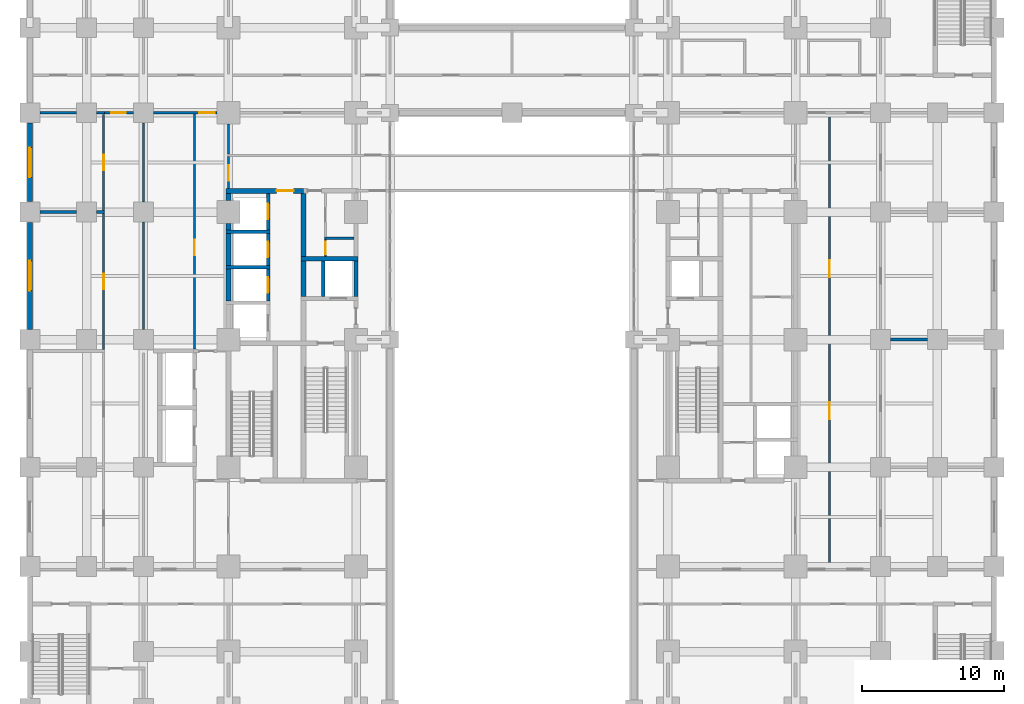
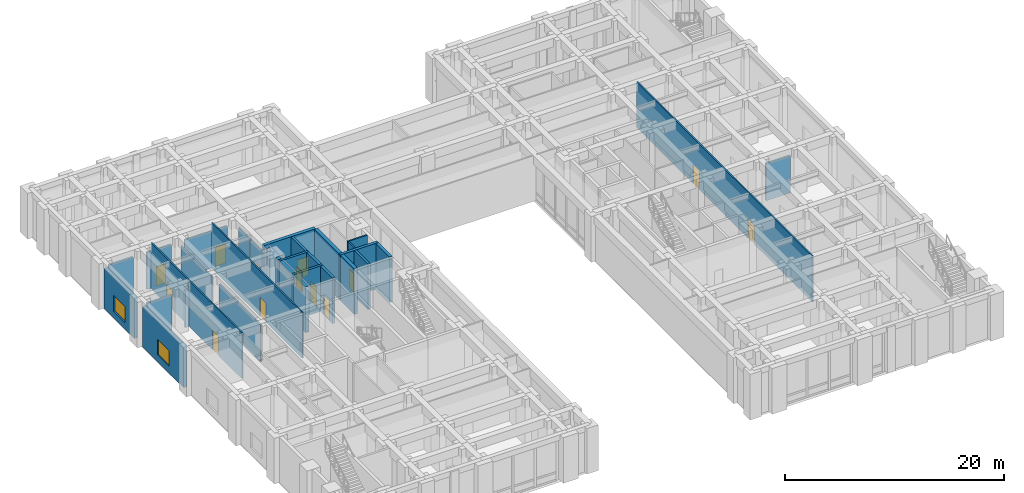
# One storey, part 11 of 21: 34 walls, 13 doors, 2 windows, 15 openings.
"""IFC4 building model written with IfcOpenShell, lengths in metres."""

from ifc_helpers import new_model, si_unit, direction, frame, frame_2d, origin, place, context, subcontext, project, spatial, rectangle, extrude, material, layer, layer_set, type_object, element, fill, save


model = new_model("IFC4")

# Units and contexts
model_context = context("Model", 3, precision=1e-05, world=origin(), true_north=direction((0.0, 1.0)))
body_context = subcontext(model_context, "Body", "Model", "MODEL_VIEW")
ifc_project = project(units=[si_unit("LENGTHUNIT", "METRE"), si_unit("AREAUNIT", "SQUARE_METRE"), si_unit("VOLUMEUNIT", "CUBIC_METRE"), si_unit("PLANEANGLEUNIT", "RADIAN"), si_unit("MASSUNIT", "GRAM", prefix="KILO")], contexts=[model_context])

# Site, building, storey
site_placement = place(None, origin())
site = spatial("IfcSite", under=ifc_project, at=site_placement, CompositionType="ELEMENT")
building_placement = place(site_placement, origin())
building = spatial("IfcBuilding", under=site, at=building_placement, Name="Zulmaris Gate Convention Tower", CompositionType="ELEMENT")
storey_placement = place(building_placement, frame((0.0, 0.0, 5.43994140625)))
storey = spatial("IfcBuildingStorey", under=building, at=storey_placement, Name="L01", CompositionType="ELEMENT", Elevation=5.43994140625)

# Walls
ifc_material_1 = material(Name="Concrete C50/60", Category="concrete")
ifc_layer_1 = layer(ifc_material_1, 0.25, Name="Concrete C50/60")
ifc_layer_set_1 = layer_set([ifc_layer_1], Name="Concrete C50/60")
wall_type_1 = type_object("IfcWallType", Name="CORE-250", PredefinedType="SOLIDWALL", material=ifc_layer_set_1)
for number, where, z_axis, x_axis, name in (
    (1, (-20.175048828125, 5.10009765625, 0.0), (0.0, 0.0, 1.0), (1.0, 0.0, 0.0), "WL-L01-019"),
    (2, (-20.175048828125, 7.60009765625, 0.0), (0.0, 0.0, 1.0), (1.0, 0.0, 0.0), "WL-L01-022"),
):
    element("IfcWall", number, at=place(storey_placement, frame(where, z_axis=z_axis, x_axis=x_axis)), inside=storey, type_object=wall_type_1, Name=name, PredefinedType="SOLIDWALL", context=body_context, shape_type="SweptSolid", body=[
        extrude(rectangle(XDim=3.10009765625, YDim=0.25, at=frame_2d((1.550048828125, 0.0))), origin(), (0.0, 0.0, 1.0), 5.08984375),
    ])

# Wall, opening, door
wall_1_placement = place(storey_placement, frame((-17.199951171875, 2.72705078125, 0.0), z_axis=(0.0, 0.0, 1.0), x_axis=(0.0, 1.0, 0.0)))
wall_1 = element("IfcWall", 3, at=wall_1_placement, inside=storey, type_object=wall_type_1, Name="WL-L01-079", PredefinedType="SOLIDWALL", context=body_context, shape_type="SweptSolid", body=[
    extrude(rectangle(XDim=2.245849609375, YDim=0.25, at=frame_2d((1.123046875, 0.0))), origin(), (0.0, 0.0, 1.0), 5.08984375),
])
opening_1_placement = place(wall_1_placement, frame((0.572998046875, 0.0, 0.0)))
opening_1 = element("IfcOpeningElement", 4, at=opening_1_placement, cuts=wall_1, Name="Opening D-06", PredefinedType="OPENING", context=body_context, shape_type="SweptSolid", body=[
    extrude(rectangle(XDim=1.10009765625, YDim=2.199951171875, at=frame_2d((0.550048828125, 1.10009765625))), frame((0.0, 0.135009765625, 0.0), z_axis=(0.0, -1.0, 0.0), x_axis=(1.0, 0.0, 0.0)), (0.0, 0.0, 1.0), 0.27001953125),
])
ifc_material_2 = material(Name="Brushed Stainless Steel", Category="steel")
door_type_1 = type_object("IfcDoorType", Name="LD-1100", OperationType="NOTDEFINED", PredefinedType="DOOR", material=ifc_material_2)
door_1_placement = place(opening_1_placement, origin())
door_1 = element("IfcDoor", 5, at=door_1_placement, inside=storey, type_object=door_type_1, Name="L01 Lift Landing Door LP-02 16", OperationType="SLIDING_TO_LEFT", OverallHeight=2.199951171875, OverallWidth=1.10009765625, PredefinedType="DOOR", context=body_context, shape_type="SweptSolid", body=[
    extrude(rectangle(XDim=1.10009765625, YDim=2.199951171875, at=frame_2d((0.550048828125, 1.10009765625))), frame((0.0, 0.02490234375, 0.0), z_axis=(0.0, -1.0, 0.0), x_axis=(1.0, 0.0, 0.0)), (0.0, 0.0, 1.0), 0.050048828125),
])
fill(opening_1, door_1)

wall_2_placement = place(storey_placement, frame((-17.199951171875, 5.22705078125, 0.0), z_axis=(0.0, 0.0, 1.0), x_axis=(0.0, 1.0, 0.0)))
wall_2 = element("IfcWall", 6, at=wall_2_placement, inside=storey, type_object=wall_type_1, Name="WL-L01-080", PredefinedType="SOLIDWALL", context=body_context, shape_type="SweptSolid", body=[
    extrude(rectangle(XDim=2.245849609375, YDim=0.25, at=frame_2d((1.123046875, 0.0))), origin(), (0.0, 0.0, 1.0), 5.08984375),
])
opening_2_placement = place(wall_2_placement, frame((0.572998046875, 0.0, 0.0)))
opening_2 = element("IfcOpeningElement", 7, at=opening_2_placement, cuts=wall_2, Name="Opening D-06", PredefinedType="OPENING", context=body_context, shape_type="SweptSolid", body=[
    extrude(rectangle(XDim=1.10009765625, YDim=2.199951171875, at=frame_2d((0.550048828125, 1.10009765625))), frame((0.0, 0.135009765625, 0.0), z_axis=(0.0, -1.0, 0.0), x_axis=(1.0, 0.0, 0.0)), (0.0, 0.0, 1.0), 0.27001953125),
])
door_2_placement = place(opening_2_placement, origin())
door_2 = element("IfcDoor", 8, at=door_2_placement, inside=storey, type_object=door_type_1, Name="L01 Lift Landing Door LP-03 17", OperationType="SLIDING_TO_LEFT", OverallHeight=2.199951171875, OverallWidth=1.10009765625, PredefinedType="DOOR", context=body_context, shape_type="SweptSolid", body=[
    extrude(rectangle(XDim=1.10009765625, YDim=2.199951171875, at=frame_2d((0.550048828125, 1.10009765625))), frame((0.0, 0.02490234375, 0.0), z_axis=(0.0, -1.0, 0.0), x_axis=(1.0, 0.0, 0.0)), (0.0, 0.0, 1.0), 0.050048828125),
])
fill(opening_2, door_2)

wall_3_placement = place(storey_placement, frame((-17.199951171875, 7.72705078125, 0.0), z_axis=(0.0, 0.0, 1.0), x_axis=(0.0, 1.0, 0.0)))
wall_3 = element("IfcWall", 9, at=wall_3_placement, inside=storey, type_object=wall_type_1, Name="WL-L01-081", PredefinedType="SOLIDWALL", context=body_context, shape_type="SweptSolid", body=[
    extrude(rectangle(XDim=2.595947265625, YDim=0.25, at=frame_2d((1.2978515625, 0.0))), origin(), (0.0, 0.0, 1.0), 5.08984375),
])
opening_3_placement = place(wall_3_placement, frame((0.77294921875, 0.0, 0.0)))
opening_3 = element("IfcOpeningElement", 10, at=opening_3_placement, cuts=wall_3, Name="Opening D-06", PredefinedType="OPENING", context=body_context, shape_type="SweptSolid", body=[
    extrude(rectangle(XDim=1.10009765625, YDim=2.199951171875, at=frame_2d((0.550048828125, 1.10009765625))), frame((0.0, 0.135009765625, 0.0), z_axis=(0.0, -1.0, 0.0), x_axis=(1.0, 0.0, 0.0)), (0.0, 0.0, 1.0), 0.27001953125),
])
door_3_placement = place(opening_3_placement, origin())
door_3 = element("IfcDoor", 11, at=door_3_placement, inside=storey, type_object=door_type_1, Name="L01 Lift Landing Door LP-04 18", OperationType="SLIDING_TO_LEFT", OverallHeight=2.199951171875, OverallWidth=1.10009765625, PredefinedType="DOOR", context=body_context, shape_type="SweptSolid", body=[
    extrude(rectangle(XDim=1.10009765625, YDim=2.199951171875, at=frame_2d((0.550048828125, 1.10009765625))), frame((0.0, 0.02490234375, 0.0), z_axis=(0.0, -1.0, 0.0), x_axis=(1.0, 0.0, 0.0)), (0.0, 0.0, 1.0), 0.050048828125),
])
fill(opening_3, door_3)

# Walls
wall_4_placement = place(storey_placement, frame((-13.300048828125, 3.052001953125, 0.0), z_axis=(0.0, 0.0, 1.0), x_axis=(0.0, 1.0, 0.0)))
element("IfcWall", 12, at=wall_4_placement, inside=storey, type_object=wall_type_1, Name="WL-L01-087", PredefinedType="SOLIDWALL", context=body_context, shape_type="SweptSolid", body=[
    extrude(rectangle(XDim=2.49609375, YDim=0.25, at=frame_2d((1.248046875, 0.0))), origin(), (0.0, 0.0, 1.0), 5.08984375),
])
ifc_layer_2 = layer(ifc_material_1, 0.300048828125, Name="Concrete C50/60")
ifc_layer_set_2 = layer_set([ifc_layer_2], Name="Concrete C50/60")
wall_type_2 = type_object("IfcWallType", Name="CORE-300", PredefinedType="SHEAR", material=ifc_layer_set_2)
wall_5_placement = place(storey_placement, frame((-14.875, 5.699951171875, 0.0), z_axis=(0.0, 0.0, 1.0), x_axis=(1.0, 0.0, 0.0)))
element("IfcWall", 13, at=wall_5_placement, inside=storey, type_object=wall_type_2, Name="WL-L01-020", PredefinedType="SHEAR", context=body_context, shape_type="SweptSolid", body=[
    extrude(rectangle(XDim=4.02490234375, YDim=0.300048828125, at=frame_2d((2.012451171875, 0.0))), origin(), (0.0, 0.0, 1.0), 5.08984375),
])
wall_6_placement = place(storey_placement, frame((-11.0, 3.052001953125, 0.0), z_axis=(0.0, 0.0, 1.0), x_axis=(0.0, 1.0, 0.0)))
element("IfcWall", 14, at=wall_6_placement, inside=storey, type_object=wall_type_2, Name="WL-L01-091", PredefinedType="SHEAR", context=body_context, shape_type="SweptSolid", body=[
    extrude(rectangle(XDim=2.49609375, YDim=0.300048828125, at=frame_2d((1.248046875, 0.0))), origin(), (0.0, 0.0, 1.0), 5.08984375),
])

# Wall, opening, door
ifc_material_3 = material(Name="Concrete C55/67", Category="concrete")
ifc_layer_3 = layer(ifc_material_3, 0.35009765625, Name="Concrete C55/67")
ifc_layer_set_3 = layer_set([ifc_layer_3], Name="Concrete C55/67")
wall_type_3 = type_object("IfcWallType", Name="CORE-350", PredefinedType="SHEAR", material=ifc_layer_set_3)
wall_7_placement = place(storey_placement, frame((-20.175048828125, 10.5, 0.0), z_axis=(0.0, 0.0, 1.0), x_axis=(1.0, 0.0, 0.0)))
wall_7 = element("IfcWall", 15, at=wall_7_placement, inside=storey, type_object=wall_type_3, Name="WL-L01-023", PredefinedType="SHEAR", context=body_context, shape_type="SweptSolid", body=[
    extrude(rectangle(XDim=5.47509765625, YDim=0.35009765625, at=frame_2d((2.737548828125, 0.0))), origin(), (0.0, 0.0, 1.0), 5.08984375),
])
opening_4_placement = place(wall_7_placement, frame((3.574951171875, 0.0, 0.0)))
opening_4 = element("IfcOpeningElement", 16, at=opening_4_placement, cuts=wall_7, Name="Opening D-13", PredefinedType="OPENING", context=body_context, shape_type="SweptSolid", body=[
    extrude(rectangle(XDim=1.199951171875, YDim=2.14990234375, at=frame_2d((0.60009765625, 1.074951171875))), frame((0.0, 0.18505859375, 0.0), z_axis=(0.0, -1.0, 0.0), x_axis=(1.0, 0.0, 0.0)), (0.0, 0.0, 1.0), 0.3701171875),
])
ifc_material_4 = material(Name="Fire-Rated Steel", Category="steel")
door_type_2 = type_object("IfcDoorType", Name="DR-1200-FD", OperationType="NOTDEFINED", PredefinedType="DOOR", material=ifc_material_4)
door_4_placement = place(opening_4_placement, origin())
door_4 = element("IfcDoor", 17, at=door_4_placement, inside=storey, type_object=door_type_2, Name="L01 Low-Rise Lift Lobby Door 14", OperationType="SINGLE_SWING_RIGHT", OverallHeight=2.14990234375, OverallWidth=1.199951171875, PredefinedType="DOOR", context=body_context, shape_type="SweptSolid", body=[
    extrude(rectangle(XDim=1.199951171875, YDim=2.14990234375, at=frame_2d((0.60009765625, 1.074951171875))), frame((0.0, 0.02490234375, 0.0), z_axis=(0.0, -1.0, 0.0), x_axis=(1.0, 0.0, 0.0)), (0.0, 0.0, 1.0), 0.050048828125),
])
fill(opening_4, door_4)

# Walls
for number, where, z_axis, x_axis, name in (
    (18, (-20.0, 2.72705078125, 0.0), (0.0, 0.0, 1.0), (0.0, 1.0, 0.0), "WL-L01-075"),
    (19, (-20.0, 5.22705078125, 0.0), (0.0, 0.0, 1.0), (0.0, 1.0, 0.0), "WL-L01-076"),
):
    element("IfcWall", number, at=place(storey_placement, frame(where, z_axis=z_axis, x_axis=x_axis)), inside=storey, type_object=wall_type_3, Name=name, PredefinedType="SHEAR", context=body_context, shape_type="SweptSolid", body=[
        extrude(rectangle(XDim=2.245849609375, YDim=0.35009765625, at=frame_2d((1.123046875, 0.0))), origin(), (0.0, 0.0, 1.0), 5.08984375),
    ])
wall_8_placement = place(storey_placement, frame((-20.0, 7.72705078125, 0.0), z_axis=(0.0, 0.0, 1.0), x_axis=(0.0, 1.0, 0.0)))
element("IfcWall", 20, at=wall_8_placement, inside=storey, type_object=wall_type_3, Name="WL-L01-077", PredefinedType="SHEAR", context=body_context, shape_type="SweptSolid", body=[
    extrude(rectangle(XDim=0.468994140625, YDim=0.35009765625, at=frame_2d((0.234375, 0.0))), origin(), (0.0, 0.0, 1.0), 5.08984375),
])
wall_9_placement = place(storey_placement, frame((-20.0, 9.803955078125, 0.0), z_axis=(0.0, 0.0, 1.0), x_axis=(0.0, 1.0, 0.0)))
element("IfcWall", 21, at=wall_9_placement, inside=storey, type_object=wall_type_3, Name="WL-L01-077S1", PredefinedType="SHEAR", context=body_context, shape_type="SweptSolid", body=[
    extrude(rectangle(XDim=0.51904296875, YDim=0.35009765625, at=frame_2d((0.259521484375, 0.0))), origin(), (0.0, 0.0, 1.0), 5.08984375),
])
wall_10_placement = place(storey_placement, frame((-14.699951171875, 3.052001953125, 0.0), z_axis=(0.0, 0.0, 1.0), x_axis=(0.0, 1.0, 0.0)))
element("IfcWall", 22, at=wall_10_placement, inside=storey, type_object=wall_type_3, Name="WL-L01-085", PredefinedType="SHEAR", context=body_context, shape_type="SweptSolid", body=[
    extrude(rectangle(XDim=2.49609375, YDim=0.35009765625, at=frame_2d((1.248046875, 0.0))), origin(), (0.0, 0.0, 1.0), 5.08984375),
])
wall_11_placement = place(storey_placement, frame((-14.699951171875, 5.85205078125, 0.0), z_axis=(0.0, 0.0, 1.0), x_axis=(0.0, 1.0, 0.0)))
element("IfcWall", 23, at=wall_11_placement, inside=storey, type_object=wall_type_3, Name="WL-L01-086", PredefinedType="SHEAR", context=body_context, shape_type="SweptSolid", body=[
    extrude(rectangle(XDim=4.470947265625, YDim=0.35009765625, at=frame_2d((2.2353515625, 0.0))), origin(), (0.0, 0.0, 1.0), 5.08984375),
])
ifc_material_5 = material(Name="Gypsum Metal Stud Partition")
ifc_layer_4 = layer(ifc_material_5, 0.14990234375, Name="Gypsum Metal Stud Partition")
ifc_layer_set_4 = layer_set([ifc_layer_4], Name="Gypsum Metal Stud Partition")
wall_type_4 = type_object("IfcWallType", Name="PART-150", PredefinedType="PARTITIONING", material=ifc_layer_set_4)
wall_12_placement = place(storey_placement, frame((-13.22509765625, 7.14990234375, 0.0), z_axis=(0.0, 0.0, 1.0), x_axis=(1.0, 0.0, 0.0)))
element("IfcWall", 24, at=wall_12_placement, inside=storey, type_object=wall_type_4, Name="WL-L01-047", PredefinedType="PARTITIONING", context=body_context, shape_type="SweptSolid", body=[
    extrude(rectangle(XDim=2.072021484375, YDim=0.14990234375, at=frame_2d((1.0361328125, 0.0))), origin(), (0.0, 0.0, 1.0), 5.08984375),
])

# Wall, opening, door
wall_13_placement = place(storey_placement, frame((-28.875, 16.0, 0.0), z_axis=(0.0, 0.0, 1.0), x_axis=(1.0, 0.0, 0.0)))
wall_13 = element("IfcWall", 25, at=wall_13_placement, inside=storey, type_object=wall_type_4, Name="WL-L01-058", PredefinedType="PARTITIONING", context=body_context, shape_type="SweptSolid", body=[
    extrude(rectangle(XDim=2.1689453125, YDim=0.14990234375, at=frame_2d((1.08447265625, 0.0))), origin(), (0.0, 0.0, 1.0), 4.132080078125),
])
opening_5_placement = place(wall_13_placement, frame((0.60009765625, 0.0, 0.0)))
opening_5 = element("IfcOpeningElement", 26, at=opening_5_placement, cuts=wall_13, Name="Opening D-09", PredefinedType="OPENING", context=body_context, shape_type="SweptSolid", body=[
    extrude(rectangle(XDim=1.050048828125, YDim=2.14990234375, at=frame_2d((0.52490234375, 1.074951171875))), frame((0.0, 0.0849609375, 0.0), z_axis=(0.0, -1.0, 0.0), x_axis=(1.0, 0.0, 0.0)), (0.0, 0.0, 1.0), 0.169921875),
])
door_type_3 = type_object("IfcDoorType", Name="DR-1050-FD", OperationType="NOTDEFINED", PredefinedType="DOOR", material=ifc_material_4)
door_5_placement = place(opening_5_placement, origin())
door_5 = element("IfcDoor", 27, at=door_5_placement, inside=storey, type_object=door_type_3, Name="L01 West Promenade North Concourse Door 66", OperationType="SINGLE_SWING_RIGHT", OverallHeight=2.14990234375, OverallWidth=1.050048828125, PredefinedType="DOOR", context=body_context, shape_type="SweptSolid", body=[
    extrude(rectangle(XDim=1.050048828125, YDim=2.14990234375, at=frame_2d((0.52490234375, 1.074951171875))), frame((0.0, 0.02490234375, 0.0), z_axis=(0.0, -1.0, 0.0), x_axis=(1.0, 0.0, 0.0)), (0.0, 0.0, 1.0), 0.050048828125),
])
fill(opening_5, door_5)

wall_14_placement = place(storey_placement, frame((-25.2939453125, 16.0, 0.0), z_axis=(0.0, 0.0, 1.0), x_axis=(1.0, 0.0, 0.0)))
wall_14 = element("IfcWall", 28, at=wall_14_placement, inside=storey, type_object=wall_type_4, Name="WL-L01-058S1", PredefinedType="PARTITIONING", context=body_context, shape_type="SweptSolid", body=[
    extrude(rectangle(XDim=4.488037109375, YDim=0.14990234375, at=frame_2d((2.244140625, 0.0))), origin(), (0.0, 0.0, 1.0), 4.132080078125),
])
opening_6_placement = place(wall_14_placement, frame((3.238037109375, 0.0, 0.0)))
opening_6 = element("IfcOpeningElement", 29, at=opening_6_placement, cuts=wall_14, Name="Opening D-08", PredefinedType="OPENING", context=body_context, shape_type="SweptSolid", body=[
    extrude(rectangle(XDim=1.10009765625, YDim=2.14990234375, at=frame_2d((0.550048828125, 1.074951171875))), frame((0.0, 0.0849609375, 0.0), z_axis=(0.0, -1.0, 0.0), x_axis=(1.0, 0.0, 0.0)), (0.0, 0.0, 1.0), 0.169921875),
])
door_type_4 = type_object("IfcDoorType", Name="DR-1100-FD", OperationType="NOTDEFINED", PredefinedType="DOOR", material=ifc_material_4)
door_6_placement = place(opening_6_placement, origin())
door_6 = element("IfcDoor", 30, at=door_6_placement, inside=storey, type_object=door_type_4, Name="L01 West Concourse Link Door 38", OperationType="SINGLE_SWING_RIGHT", OverallHeight=2.14990234375, OverallWidth=1.10009765625, PredefinedType="DOOR", context=body_context, shape_type="SweptSolid", body=[
    extrude(rectangle(XDim=1.10009765625, YDim=2.14990234375, at=frame_2d((0.550048828125, 1.074951171875))), frame((0.0, 0.02490234375, 0.0), z_axis=(0.0, -1.0, 0.0), x_axis=(1.0, 0.0, 0.0)), (0.0, 0.0, 1.0), 0.050048828125),
])
fill(opening_6, door_6)

wall_15_placement = place(storey_placement, frame((-28.800048828125, -0.697021484375, 0.0), z_axis=(0.0, 0.0, 1.0), x_axis=(0.0, 1.0, 0.0)))
wall_15 = element("IfcWall", 31, at=wall_15_placement, inside=storey, type_object=wall_type_4, Name="WL-L01-113", PredefinedType="PARTITIONING", context=body_context, shape_type="SweptSolid", body=[
    extrude(rectangle(XDim=9.593994140625, YDim=0.14990234375, at=frame_2d((4.796875, 0.0))), origin(), (0.0, 0.0, 1.0), 5.08984375),
])
opening_7_placement = place(wall_15_placement, frame((4.2470703125, 0.0, 0.0)))
opening_7 = element("IfcOpeningElement", 32, at=opening_7_placement, cuts=wall_15, Name="Opening D-08", PredefinedType="OPENING", context=body_context, shape_type="SweptSolid", body=[
    extrude(rectangle(XDim=1.10009765625, YDim=2.14990234375, at=frame_2d((0.550048828125, 1.074951171875))), frame((0.0, 0.0849609375, 0.0), z_axis=(0.0, -1.0, 0.0), x_axis=(1.0, 0.0, 0.0)), (0.0, 0.0, 1.0), 0.169921875),
])
door_7_placement = place(opening_7_placement, origin())
door_7 = element("IfcDoor", 33, at=door_7_placement, inside=storey, type_object=door_type_4, Name="L01 West Room WU1 Door 69", OperationType="SINGLE_SWING_LEFT", OverallHeight=2.14990234375, OverallWidth=1.10009765625, PredefinedType="DOOR", context=body_context, shape_type="SweptSolid", body=[
    extrude(rectangle(XDim=1.10009765625, YDim=2.14990234375, at=frame_2d((0.550048828125, 1.074951171875))), frame((0.0, 0.02490234375, 0.0), z_axis=(0.0, -1.0, 0.0), x_axis=(1.0, 0.0, 0.0)), (0.0, 0.0, 1.0), 0.050048828125),
])
fill(opening_7, door_7)

wall_16_placement = place(storey_placement, frame((-28.800048828125, 9.10302734375, 0.0), z_axis=(0.0, 0.0, 1.0), x_axis=(0.0, 1.0, 0.0)))
wall_16 = element("IfcWall", 34, at=wall_16_placement, inside=storey, type_object=wall_type_4, Name="WL-L01-114", PredefinedType="PARTITIONING", context=body_context, shape_type="SweptSolid", body=[
    extrude(rectangle(XDim=6.7939453125, YDim=0.14990234375, at=frame_2d((3.39697265625, 0.0))), origin(), (0.0, 0.0, 1.0), 5.08984375),
])
opening_8_placement = place(wall_16_placement, frame((2.846923828125, 0.0, 0.0)))
opening_8 = element("IfcOpeningElement", 35, at=opening_8_placement, cuts=wall_16, Name="Opening D-08", PredefinedType="OPENING", context=body_context, shape_type="SweptSolid", body=[
    extrude(rectangle(XDim=1.10009765625, YDim=2.14990234375, at=frame_2d((0.550048828125, 1.074951171875))), frame((0.0, 0.0849609375, 0.0), z_axis=(0.0, -1.0, 0.0), x_axis=(1.0, 0.0, 0.0)), (0.0, 0.0, 1.0), 0.169921875),
])
door_8_placement = place(opening_8_placement, origin())
door_8 = element("IfcDoor", 36, at=door_8_placement, inside=storey, type_object=door_type_4, Name="L01 West Room WU2 Door 70", OperationType="SINGLE_SWING_RIGHT", OverallHeight=2.14990234375, OverallWidth=1.10009765625, PredefinedType="DOOR", context=body_context, shape_type="SweptSolid", body=[
    extrude(rectangle(XDim=1.10009765625, YDim=2.14990234375, at=frame_2d((0.550048828125, 1.074951171875))), frame((0.0, 0.02490234375, 0.0), z_axis=(0.0, -1.0, 0.0), x_axis=(1.0, 0.0, 0.0)), (0.0, 0.0, 1.0), 0.050048828125),
])
fill(opening_8, door_8)

# Walls
wall_17_placement = place(storey_placement, frame((-26.0, 0.7060546875, 0.0), z_axis=(0.0, 0.0, 1.0), x_axis=(0.0, 1.0, 0.0)))
element("IfcWall", 37, at=wall_17_placement, inside=storey, type_object=wall_type_4, Name="WL-L01-119", PredefinedType="PARTITIONING", context=body_context, shape_type="SweptSolid", body=[
    extrude(rectangle(XDim=7.587890625, YDim=0.14990234375, at=frame_2d((3.7939453125, 0.0))), origin(), (0.0, 0.0, 1.0), 4.132080078125),
])
wall_18_placement = place(storey_placement, frame((-26.0, 9.7060546875, 0.0), z_axis=(0.0, 0.0, 1.0), x_axis=(0.0, 1.0, 0.0)))
element("IfcWall", 38, at=wall_18_placement, inside=storey, type_object=wall_type_4, Name="WL-L01-119S1", PredefinedType="PARTITIONING", context=body_context, shape_type="SweptSolid", body=[
    extrude(rectangle(XDim=5.587890625, YDim=0.14990234375, at=frame_2d((2.7939453125, 0.0))), origin(), (0.0, 0.0, 1.0), 4.132080078125),
])

# Wall, opening, door
wall_19_placement = place(storey_placement, frame((-22.39990234375, -0.64697265625, 0.0), z_axis=(0.0, 0.0, 1.0), x_axis=(0.0, 1.0, 0.0)))
wall_19 = element("IfcWall", 39, at=wall_19_placement, inside=storey, type_object=wall_type_4, Name="WL-L01-123", PredefinedType="PARTITIONING", context=body_context, shape_type="SweptSolid", body=[
    extrude(rectangle(XDim=16.569091796875, YDim=0.14990234375, at=frame_2d((8.28466796875, 0.0))), origin(), (0.0, 0.0, 1.0), 5.08984375),
])
opening_9_placement = place(wall_19_placement, frame((6.596923828125, 0.0, 0.0)))
opening_9 = element("IfcOpeningElement", 40, at=opening_9_placement, cuts=wall_19, Name="Opening D-08", PredefinedType="OPENING", context=body_context, shape_type="SweptSolid", body=[
    extrude(rectangle(XDim=1.10009765625, YDim=2.14990234375, at=frame_2d((0.550048828125, 1.074951171875))), frame((0.0, 0.0849609375, 0.0), z_axis=(0.0, -1.0, 0.0), x_axis=(1.0, 0.0, 0.0)), (0.0, 0.0, 1.0), 0.169921875),
])
door_9_placement = place(opening_9_placement, origin())
door_9 = element("IfcDoor", 41, at=door_9_placement, inside=storey, type_object=door_type_4, Name="L01 West Delegate Lounge Door 34", OperationType="SINGLE_SWING_RIGHT", OverallHeight=2.14990234375, OverallWidth=1.10009765625, PredefinedType="DOOR", context=body_context, shape_type="SweptSolid", body=[
    extrude(rectangle(XDim=1.10009765625, YDim=2.14990234375, at=frame_2d((0.550048828125, 1.074951171875))), frame((0.0, 0.02490234375, 0.0), z_axis=(0.0, -1.0, 0.0), x_axis=(1.0, 0.0, 0.0)), (0.0, 0.0, 1.0), 0.050048828125),
])
fill(opening_9, door_9)

wall_20_placement = place(storey_placement, frame((-20.0, 10.677978515625, 0.0), z_axis=(0.0, 0.0, 1.0), x_axis=(0.0, 1.0, 0.0)))
wall_20 = element("IfcWall", 42, at=wall_20_placement, inside=storey, type_object=wall_type_4, Name="WL-L01-126", PredefinedType="PARTITIONING", context=body_context, shape_type="SweptSolid", body=[
    extrude(rectangle(XDim=2.244140625, YDim=0.14990234375, at=frame_2d((1.1220703125, 0.0))), origin(), (0.0, 0.0, 1.0), 4.132080078125),
])
opening_10_placement = place(wall_20_placement, frame((0.52197265625, 0.0, 0.0)))
opening_10 = element("IfcOpeningElement", 43, at=opening_10_placement, cuts=wall_20, Name="Opening D-08", PredefinedType="OPENING", context=body_context, shape_type="SweptSolid", body=[
    extrude(rectangle(XDim=1.10009765625, YDim=2.14990234375, at=frame_2d((0.550048828125, 1.074951171875))), frame((0.0, 0.0849609375, 0.0), z_axis=(0.0, -1.0, 0.0), x_axis=(1.0, 0.0, 0.0)), (0.0, 0.0, 1.0), 0.169921875),
])
door_10_placement = place(opening_10_placement, origin())
door_10 = element("IfcDoor", 44, at=door_10_placement, inside=storey, type_object=door_type_4, Name="L01 West Passage North Door 46", OperationType="SINGLE_SWING_RIGHT", OverallHeight=2.14990234375, OverallWidth=1.10009765625, PredefinedType="DOOR", context=body_context, shape_type="SweptSolid", body=[
    extrude(rectangle(XDim=1.10009765625, YDim=2.14990234375, at=frame_2d((0.550048828125, 1.074951171875))), frame((0.0, 0.02490234375, 0.0), z_axis=(0.0, -1.0, 0.0), x_axis=(1.0, 0.0, 0.0)), (0.0, 0.0, 1.0), 0.050048828125),
])
fill(opening_10, door_10)

# Wall
wall_21_placement = place(storey_placement, frame((-20.0, 13.077880859375, 0.0), z_axis=(0.0, 0.0, 1.0), x_axis=(0.0, 1.0, 0.0)))
element("IfcWall", 45, at=wall_21_placement, inside=storey, type_object=wall_type_4, Name="WL-L01-127", PredefinedType="PARTITIONING", context=body_context, shape_type="SweptSolid", body=[
    extrude(rectangle(XDim=2.1162109375, YDim=0.14990234375, at=frame_2d((1.05810546875, 0.0))), origin(), (0.0, 0.0, 1.0), 4.132080078125),
])

# Wall, opening, door
wall_22_placement = place(storey_placement, frame((-13.14990234375, 5.85302734375, 0.0), z_axis=(0.0, 0.0, 1.0), x_axis=(0.0, 1.0, 0.0)))
wall_22 = element("IfcWall", 46, at=wall_22_placement, inside=storey, type_object=wall_type_4, Name="WL-L01-129", PredefinedType="PARTITIONING", context=body_context, shape_type="SweptSolid", body=[
    extrude(rectangle(XDim=1.218994140625, YDim=0.14990234375, at=frame_2d((0.609375, 0.0))), origin(), (0.0, 0.0, 1.0), 5.08984375),
])
opening_11_placement = place(wall_22_placement, frame((0.1689453125, 0.0, 0.0)))
opening_11 = element("IfcOpeningElement", 47, at=opening_11_placement, cuts=wall_22, Name="Opening D-12", PredefinedType="OPENING", context=body_context, shape_type="SweptSolid", body=[
    extrude(rectangle(XDim=0.89990234375, YDim=2.14990234375, at=frame_2d((0.449951171875, 1.074951171875))), frame((0.0, 0.0849609375, 0.0), z_axis=(0.0, -1.0, 0.0), x_axis=(1.0, 0.0, 0.0)), (0.0, 0.0, 1.0), 0.169921875),
])
ifc_material_6 = material(Name="Fire-Rated Timber", Category="wood")
door_type_5 = type_object("IfcDoorType", Name="DR-900-FD", OperationType="NOTDEFINED", PredefinedType="DOOR", material=ifc_material_6)
door_11_placement = place(opening_11_placement, origin())
door_11 = element("IfcDoor", 48, at=door_11_placement, inside=storey, type_object=door_type_5, Name="L01 Stationery Closet Door 08", OperationType="SINGLE_SWING_RIGHT", OverallHeight=2.14990234375, OverallWidth=0.89990234375, PredefinedType="DOOR", context=body_context, shape_type="SweptSolid", body=[
    extrude(rectangle(XDim=0.89990234375, YDim=2.14990234375, at=frame_2d((0.449951171875, 1.074951171875))), frame((0.0, 0.02490234375, 0.0), z_axis=(0.0, -1.0, 0.0), x_axis=(1.0, 0.0, 0.0)), (0.0, 0.0, 1.0), 0.050048828125),
])
fill(opening_11, door_11)

# Wall, openings, doors
wall_23_placement = place(storey_placement, frame((22.39990234375, -16.1220703125, 0.0), z_axis=(0.0, 0.0, 1.0), x_axis=(0.0, 1.0, 0.0)))
wall_23 = element("IfcWall", 49, at=wall_23_placement, inside=storey, type_object=wall_type_4, Name="WL-L01-152", PredefinedType="PARTITIONING", context=body_context, shape_type="SweptSolid", body=[
    extrude(rectangle(XDim=32.044189453125, YDim=0.14990234375, at=frame_2d((16.02197265625, 0.0))), origin(), (0.0, 0.0, 1.0), 5.08984375),
])
opening_12_placement = place(wall_23_placement, frame((10.52197265625, 0.0, 0.0)))
opening_12 = element("IfcOpeningElement", 50, at=opening_12_placement, cuts=wall_23, Name="Opening D-13", PredefinedType="OPENING", context=body_context, shape_type="SweptSolid", body=[
    extrude(rectangle(XDim=1.199951171875, YDim=2.14990234375, at=frame_2d((0.60009765625, 1.074951171875))), frame((0.0, 0.0849609375, 0.0), z_axis=(0.0, -1.0, 0.0), x_axis=(1.0, 0.0, 0.0)), (0.0, 0.0, 1.0), 0.169921875),
])
opening_13_placement = place(wall_23_placement, frame((20.52197265625, 0.0, 0.0)))
opening_13 = element("IfcOpeningElement", 51, at=opening_13_placement, cuts=wall_23, Name="Opening D-13", PredefinedType="OPENING", context=body_context, shape_type="SweptSolid", body=[
    extrude(rectangle(XDim=1.199951171875, YDim=2.14990234375, at=frame_2d((0.60009765625, 1.074951171875))), frame((0.0, 0.0849609375, 0.0), z_axis=(0.0, -1.0, 0.0), x_axis=(1.0, 0.0, 0.0)), (0.0, 0.0, 1.0), 0.169921875),
])
door_12_placement = place(opening_12_placement, origin())
door_12 = element("IfcDoor", 52, at=door_12_placement, inside=storey, type_object=door_type_2, Name="L01 East Promenade South Link Door 71", OperationType="SINGLE_SWING_LEFT", OverallHeight=2.14990234375, OverallWidth=1.199951171875, PredefinedType="DOOR", context=body_context, shape_type="SweptSolid", body=[
    extrude(rectangle(XDim=1.199951171875, YDim=2.14990234375, at=frame_2d((0.60009765625, 1.074951171875))), frame((0.0, 0.02490234375, 0.0), z_axis=(0.0, -1.0, 0.0), x_axis=(1.0, 0.0, 0.0)), (0.0, 0.0, 1.0), 0.050048828125),
])
fill(opening_12, door_12)
door_13_placement = place(opening_13_placement, origin())
door_13 = element("IfcDoor", 53, at=door_13_placement, inside=storey, type_object=door_type_2, Name="L01 East Promenade North Link Door 72", OperationType="SINGLE_SWING_RIGHT", OverallHeight=2.14990234375, OverallWidth=1.199951171875, PredefinedType="DOOR", context=body_context, shape_type="SweptSolid", body=[
    extrude(rectangle(XDim=1.199951171875, YDim=2.14990234375, at=frame_2d((0.60009765625, 1.074951171875))), frame((0.0, 0.02490234375, 0.0), z_axis=(0.0, -1.0, 0.0), x_axis=(1.0, 0.0, 0.0)), (0.0, 0.0, 1.0), 0.050048828125),
])
fill(opening_13, door_13)

# Walls
ifc_material_7 = material(Name="Autoclaved Aerated Concrete Block and Plasterboard", Category="concrete")
ifc_layer_5 = layer(ifc_material_7, 0.199951171875, Name="Autoclaved Aerated Concrete Block and Plasterboard")
ifc_layer_set_5 = layer_set([ifc_layer_5], Name="Autoclaved Aerated Concrete Block and Plasterboard")
wall_type_5 = type_object("IfcWallType", Name="PART-200", PredefinedType="PARTITIONING", material=ifc_layer_set_5)
for number, where, z_axis, x_axis, name in (
    (54, (26.7060546875, 0.0, 0.0), (0.0, 0.0, 1.0), (1.0, 0.0, 0.0), "WL-L01-045"),
    (55, (-33.2939453125, 9.0, 0.0), (0.0, 0.0, 1.0), (1.0, 0.0, 0.0), "WL-L01-049"),
):
    element("IfcWall", number, at=place(storey_placement, frame(where, z_axis=z_axis, x_axis=x_axis)), inside=storey, type_object=wall_type_5, Name=name, PredefinedType="PARTITIONING", context=body_context, shape_type="SweptSolid", body=[
        extrude(rectangle(XDim=2.587890625, YDim=0.199951171875, at=frame_2d((1.2939453125, 0.0))), origin(), (0.0, 0.0, 1.0), 4.132080078125),
    ])
wall_24_placement = place(storey_placement, frame((-29.2939453125, 9.0, 0.0), z_axis=(0.0, 0.0, 1.0), x_axis=(1.0, 0.0, 0.0)))
element("IfcWall", 56, at=wall_24_placement, inside=storey, type_object=wall_type_5, Name="WL-L01-049S1", PredefinedType="PARTITIONING", context=body_context, shape_type="SweptSolid", body=[
    extrude(rectangle(XDim=0.56884765625, YDim=0.199951171875, at=frame_2d((0.284423828125, 0.0))), origin(), (0.0, 0.0, 1.0), 4.132080078125),
])
wall_25_placement = place(storey_placement, frame((-33.2939453125, 16.0, 0.0), z_axis=(0.0, 0.0, 1.0), x_axis=(1.0, 0.0, 0.0)))
element("IfcWall", 57, at=wall_25_placement, inside=storey, type_object=wall_type_5, Name="WL-L01-057", PredefinedType="PARTITIONING", context=body_context, shape_type="SweptSolid", body=[
    extrude(rectangle(XDim=2.587890625, YDim=0.199951171875, at=frame_2d((1.2939453125, 0.0))), origin(), (0.0, 0.0, 1.0), 4.132080078125),
])
wall_26_placement = place(storey_placement, frame((-29.2939453125, 16.0, 0.0), z_axis=(0.0, 0.0, 1.0), x_axis=(1.0, 0.0, 0.0)))
element("IfcWall", 58, at=wall_26_placement, inside=storey, type_object=wall_type_5, Name="WL-L01-057S1", PredefinedType="PARTITIONING", context=body_context, shape_type="SweptSolid", body=[
    extrude(rectangle(XDim=0.56884765625, YDim=0.199951171875, at=frame_2d((0.284423828125, 0.0))), origin(), (0.0, 0.0, 1.0), 4.132080078125),
])

# Wall, opening, window
ifc_material_8 = material(Name="Precast concrete C45/55", Category="concrete")
ifc_layer_6 = layer(ifc_material_8, 0.35009765625, Name="Precast concrete C45/55")
ifc_layer_set_6 = layer_set([ifc_layer_6], Name="Precast concrete C45/55")
wall_type_6 = type_object("IfcWallType", Name="PRECAST-POD-350", PredefinedType="STANDARD", material=ifc_layer_set_6)
wall_27_placement = place(storey_placement, frame((-34.0, 0.72998046875, 0.0), z_axis=(0.0, 0.0, 1.0), x_axis=(0.0, 1.0, 0.0)))
wall_27 = element("IfcWall", 59, at=wall_27_placement, inside=storey, type_object=wall_type_6, Name="EW-L01-W-0_0", PredefinedType="STANDARD", context=body_context, shape_type="SweptSolid", body=[
    extrude(rectangle(XDim=7.5400390625, YDim=0.35009765625, at=frame_2d((3.77001953125, 0.0))), origin(), (0.0, 0.0, 1.0), 4.48193359375),
])
opening_14_placement = place(wall_27_placement, frame((2.719970703125, 0.0, 0.75)))
opening_14 = element("IfcOpeningElement", 60, at=opening_14_placement, cuts=wall_27, Name="Opening W-05", PredefinedType="OPENING", context=body_context, shape_type="SweptSolid", body=[
    extrude(rectangle(XDim=2.10009765625, YDim=1.75, at=frame_2d((1.050048828125, 0.875))), frame((0.0, 0.18505859375, 0.0), z_axis=(0.0, -1.0, 0.0), x_axis=(1.0, 0.0, 0.0)), (0.0, 0.0, 1.0), 0.3701171875),
])
ifc_material_9 = material(Name="Low-E Laminated Double Glazing in Aluminium Frame", Category="aluminium")
window_type = type_object("IfcWindowType", Name="WIN-2100x2400", PartitioningType="SINGLE_PANEL", PredefinedType="WINDOW", material=ifc_material_9)
window_1_placement = place(opening_14_placement, origin())
window_1 = element("IfcWindow", 61, at=window_1_placement, inside=storey, type_object=window_type, Name="WN-EW-L01-W-0_0", OverallHeight=1.75, OverallWidth=2.10009765625, PartitioningType="SINGLE_PANEL", PredefinedType="WINDOW", context=body_context, shape_type="SweptSolid", body=[
    extrude(rectangle(XDim=2.10009765625, YDim=1.75, at=frame_2d((1.050048828125, 0.875))), frame((0.0, 0.030029296875, 0.0), z_axis=(0.0, -1.0, 0.0), x_axis=(1.0, 0.0, 0.0)), (0.0, 0.0, 1.0), 0.06005859375),
])
fill(opening_14, window_1)

wall_28_placement = place(storey_placement, frame((-34.0, 9.72998046875, 0.0), z_axis=(0.0, 0.0, 1.0), x_axis=(0.0, 1.0, 0.0)))
wall_28 = element("IfcWall", 62, at=wall_28_placement, inside=storey, type_object=wall_type_6, Name="EW-L01-W-9_0", PredefinedType="STANDARD", context=body_context, shape_type="SweptSolid", body=[
    extrude(rectangle(XDim=5.5400390625, YDim=0.35009765625, at=frame_2d((2.77001953125, 0.0))), origin(), (0.0, 0.0, 1.0), 4.48193359375),
])
opening_15_placement = place(wall_28_placement, frame((1.719970703125, 0.0, 0.75)))
opening_15 = element("IfcOpeningElement", 63, at=opening_15_placement, cuts=wall_28, Name="Opening W-05", PredefinedType="OPENING", context=body_context, shape_type="SweptSolid", body=[
    extrude(rectangle(XDim=2.10009765625, YDim=1.75, at=frame_2d((1.050048828125, 0.875))), frame((0.0, 0.18505859375, 0.0), z_axis=(0.0, -1.0, 0.0), x_axis=(1.0, 0.0, 0.0)), (0.0, 0.0, 1.0), 0.3701171875),
])
window_2_placement = place(opening_15_placement, origin())
window_2 = element("IfcWindow", 64, at=window_2_placement, inside=storey, type_object=window_type, Name="WN-EW-L01-W-9_0", OverallHeight=1.75, OverallWidth=2.10009765625, PartitioningType="SINGLE_PANEL", PredefinedType="WINDOW", context=body_context, shape_type="SweptSolid", body=[
    extrude(rectangle(XDim=2.10009765625, YDim=1.75, at=frame_2d((1.050048828125, 0.875))), frame((0.0, 0.030029296875, 0.0), z_axis=(0.0, -1.0, 0.0), x_axis=(1.0, 0.0, 0.0)), (0.0, 0.0, 1.0), 0.06005859375),
])
fill(opening_15, window_2)

save(model, "model.ifc")
